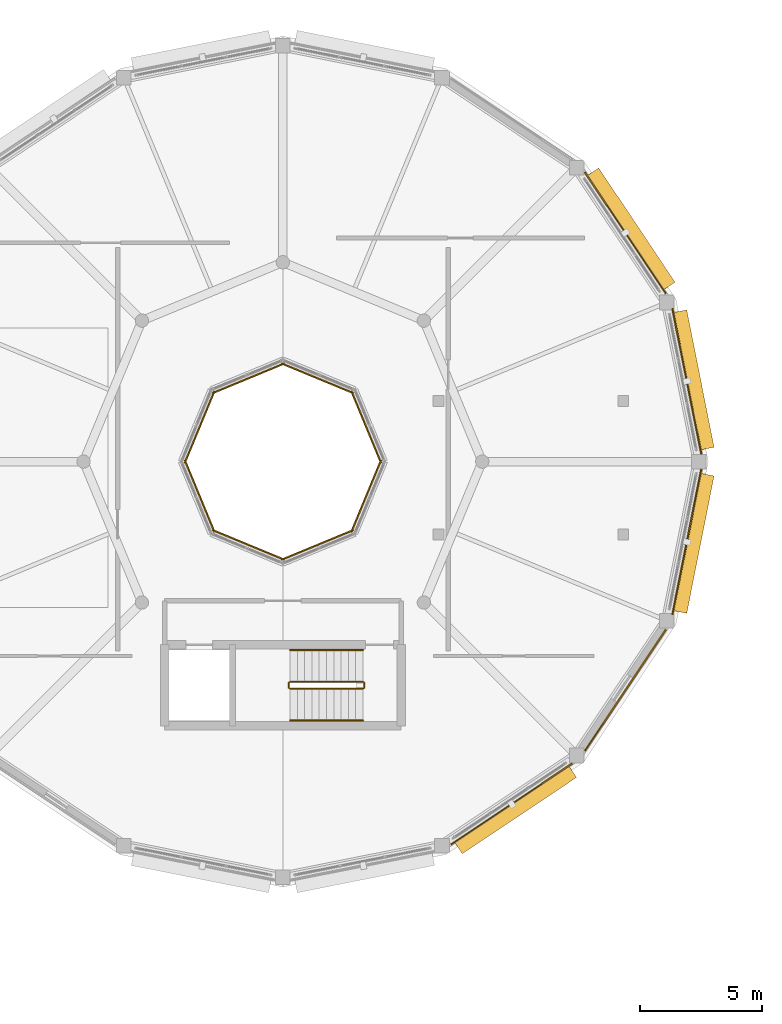
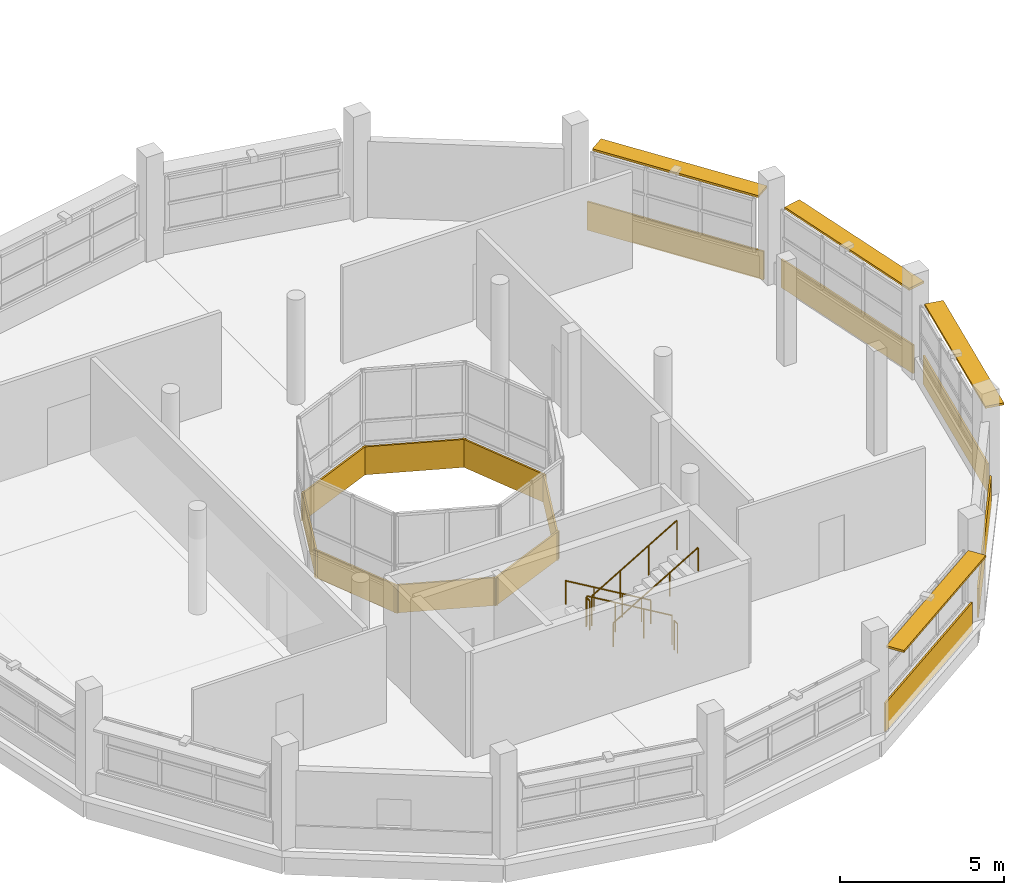
# One storey, part 120 of 121: 13 coverings, 6 railings, 4 shading devices.
"""IFC4 building model written with IfcOpenShell, lengths in metres."""

from ifc_helpers import new_model, si_unit, direction, frame, frame_2d, origin, origin_2d, place, context, subcontext, project, spatial, rectangle, circle, extrude, material, layer, layer_set, type_object, element, save


model = new_model("IFC4")

# Units and contexts
model_context = context("Model", 3, precision=1e-05, world=origin(), true_north=direction((0.0, 1.0)))
body_context = subcontext(model_context, "Body", "Model", "MODEL_VIEW")
ifc_project = project(units=[si_unit("LENGTHUNIT", "METRE"), si_unit("AREAUNIT", "SQUARE_METRE"), si_unit("VOLUMEUNIT", "CUBIC_METRE"), si_unit("PLANEANGLEUNIT", "RADIAN"), si_unit("MASSUNIT", "GRAM", prefix="KILO")], contexts=[model_context])

# Site, building, storey
site_placement = place(None, origin())
site = spatial("IfcSite", under=ifc_project, at=site_placement, CompositionType="ELEMENT")
building_placement = place(site_placement, origin())
building = spatial("IfcBuilding", under=site, at=building_placement, Name="Vespera Passage Community Centre", CompositionType="ELEMENT")
storey_placement = place(building_placement, frame((0.0, 0.0, 8.699951171875)))
storey = spatial("IfcBuildingStorey", under=building, at=storey_placement, Name="L02", CompositionType="ELEMENT", Elevation=8.699951171875)

# Coverings
ifc_material_1 = material(Name="Precast concrete f'c 40 MPa", Category="concrete")
ifc_layer = layer(ifc_material_1, 0.06005859375)
ifc_layer_set = layer_set([ifc_layer], Name="Precast concrete f'c 40 MPa")
covering_type = type_object("IfcCoveringType", Name="COV-CLAD-60E", PredefinedType="CLADDING", material=ifc_layer_set)
covering_1_placement = place(storey_placement, frame((157.019775390625, 31.301513671875, -0.260009765625), z_axis=(0.0, 0.0, 1.0), x_axis=(0.195101780047, -0.98078300119, 0.0)))
element("IfcCovering", 1, at=covering_1_placement, inside=storey, type_object=covering_type, Name="V3 L02 White Spandrel Band 1", PredefinedType="CLADDING", context=body_context, shape_type="SweptSolid", body=[
    extrude(rectangle(XDim=6.1103515625, YDim=0.06005859375, at=frame_2d((3.05517578125, 0.0))), origin(), (0.0, 0.0, 1.0), 1.06005859375),
])
for number, where, z_axis, x_axis, name in (
    (2, (153.41943359375, 36.90673828125, -0.260009765625), (0.0, 0.0, 1.0), (0.555573083966, -0.831467707354, 0.0), "V3 L02 White Spandrel Band 2"),
    (3, (152.90673828125, 12.58056640625, -0.260009765625), (0.0, 0.0, 1.0), (-0.831467707354, -0.555573083966, 0.0), "V3 L02 White Spandrel Band 14"),
):
    element("IfcCovering", number, at=place(storey_placement, frame(where, z_axis=z_axis, x_axis=x_axis)), inside=storey, type_object=covering_type, Name=name, PredefinedType="CLADDING", context=body_context, shape_type="SweptSolid", body=[
        extrude(rectangle(XDim=6.00048828125, YDim=0.06005859375, at=frame_2d((3.000244140625, 0.0))), origin(), (0.0, 0.0, 1.0), 1.06005859375),
    ])
covering_2_placement = place(storey_placement, frame((156.753173828125, 18.08251953125, -0.260009765625), z_axis=(0.0, 0.0, 1.0), x_axis=(-0.555573083966, -0.831467707354, 0.0)))
element("IfcCovering", 4, at=covering_2_placement, inside=storey, type_object=covering_type, Name="V3 L02 White Sill Band 15", PredefinedType="CLADDING", context=body_context, shape_type="SweptSolid", body=[
    extrude(rectangle(XDim=6.00048828125, YDim=0.06005859375, at=frame_2d((3.000244140625, 0.0))), origin(), (0.0, 0.0, 1.0), 1.080078125),
])
covering_3_placement = place(storey_placement, frame((158.2119140625, 24.69140625, -0.260009765625), z_axis=(0.0, 0.0, 1.0), x_axis=(-0.195101780047, -0.98078300119, 0.0)))
element("IfcCovering", 5, at=covering_3_placement, inside=storey, type_object=covering_type, Name="V3 L02 White Spandrel Band 16", PredefinedType="CLADDING", context=body_context, shape_type="SweptSolid", body=[
    extrude(rectangle(XDim=6.1103515625, YDim=0.06005859375, at=frame_2d((3.05517578125, 0.0))), origin(), (0.0, 0.0, 1.0), 1.06005859375),
])
for number, where, z_axis, x_axis, name in (
    (6, (145.036865234375, 24.940673828125, -0.239990234375), (0.0, 0.0, 1.0), (-0.382691013977, 0.923876392068, 0.0), "V3 L02 Inner Court White Band 1"),
    (7, (143.896484375, 27.8125, -0.239990234375), (0.0, 0.0, 1.0), (-0.923876392068, 0.382691013977, 0.0), "V3 L02 Inner Court White Band 2"),
    (8, (141.059326171875, 29.036865234375, -0.239990234375), (0.0, 0.0, 1.0), (-0.923876392068, -0.382691013977, 0.0), "V3 L02 Inner Court White Band 3"),
    (9, (138.1875, 27.896484375, -0.239990234375), (0.0, 0.0, 1.0), (-0.382691013977, -0.923876392068, 0.0), "V3 L02 Inner Court White Band 4"),
    (10, (136.963134765625, 25.059326171875, -0.239990234375), (0.0, 0.0, 1.0), (0.382691013977, -0.923876392068, 0.0), "V3 L02 Inner Court White Band 5"),
    (11, (138.103515625, 22.1875, -0.239990234375), (0.0, 0.0, 1.0), (0.923876392068, -0.382691013977, 0.0), "V3 L02 Inner Court White Band 6"),
    (12, (140.940673828125, 20.963134765625, -0.239990234375), (0.0, 0.0, 1.0), (0.923876392068, 0.382691013977, 0.0), "V3 L02 Inner Court White Band 7"),
    (13, (143.8125, 22.103515625, -0.239990234375), (0.0, 0.0, 1.0), (0.382691013977, 0.923876392068, 0.0), "V3 L02 Inner Court White Band 8"),
):
    element("IfcCovering", number, at=place(storey_placement, frame(where, z_axis=z_axis, x_axis=x_axis)), inside=storey, type_object=covering_type, Name=name, PredefinedType="CLADDING", context=body_context, shape_type="SweptSolid", body=[
        extrude(rectangle(XDim=3.199462890625, YDim=0.06005859375, at=frame_2d((1.599609375, 0.0))), origin(), (0.0, 0.0, 1.0), 1.0400390625),
    ])

# Railings
ifc_material_2 = material(Name="Steel ASTM A500 Grade C", Category="steel")
railing_type_1 = type_object("IfcRailingType", Name="RL-HAND-900I", PredefinedType="HANDRAIL", material=ifc_material_2)
railing_1_placement = place(storey_placement, frame((144.294921875, 17.25, 0.17724609375)))
element("IfcRailing", 14, at=railing_1_placement, inside=storey, type_object=railing_type_1, Name="L02 ST08 stair handrail 1", PredefinedType="HANDRAIL", context=body_context, shape_type="SweptSolid", body=[
    extrude(circle(Radius=0.02392578125, at=origin_2d()), frame((0.0, 0.0, 0.8759765625), z_axis=(-0.86092931783, 0.0, 0.508724591208), x_axis=(0.0, -1.0, 0.0)), (0.0, 0.0, 1.0), 3.484619140625),
    extrude(circle(Radius=0.02099609375, at=origin_2d()), origin(), (0.0, 0.0, 1.0), 0.851806640625),
    extrude(circle(Radius=0.02099609375, at=origin_2d()), frame((-1.0, 0.0, 0.5908203125)), (0.0, 0.0, 1.0), 0.851806640625),
    extrude(circle(Radius=0.02099609375, at=origin_2d()), frame((-2.0, 0.0, 1.181884765625)), (0.0, 0.0, 1.0), 0.851806640625),
    extrude(circle(Radius=0.02099609375, at=origin_2d()), frame((-3.0, 0.0, 1.772705078125)), (0.0, 0.0, 1.0), 0.851806640625),
])
railing_2_placement = place(storey_placement, frame((141.294921875, 14.35009765625, 2.12744140625)))
element("IfcRailing", 15, at=railing_2_placement, inside=storey, type_object=railing_type_1, Name="L02 ST08 stair handrail 2", PredefinedType="HANDRAIL", context=body_context, shape_type="SweptSolid", body=[
    extrude(circle(Radius=0.02392578125, at=origin_2d()), frame((0.0, 0.0, 0.8759765625), z_axis=(0.86092931783, 0.0, 0.508724591208), x_axis=(0.0, 1.0, 0.0)), (0.0, 0.0, 1.0), 3.484619140625),
    extrude(circle(Radius=0.02099609375, at=origin_2d()), origin(), (0.0, 0.0, 1.0), 0.851806640625),
    extrude(circle(Radius=0.02099609375, at=origin_2d()), frame((1.0, 0.0, 0.5908203125)), (0.0, 0.0, 1.0), 0.851806640625),
    extrude(circle(Radius=0.02099609375, at=origin_2d()), frame((2.0, 0.0, 1.181884765625)), (0.0, 0.0, 1.0), 0.851806640625),
    extrude(circle(Radius=0.02099609375, at=origin_2d()), frame((3.0, 0.0, 1.772705078125)), (0.0, 0.0, 1.0), 0.851806640625),
])
ifc_material_3 = material(Name="Steel ASTM A500 Grade C", Category="steel")
railing_type_2 = type_object("IfcRailingType", Name="RL-STAIR-1100I", PredefinedType="GUARDRAIL", material=ifc_material_3)
railing_3_placement = place(storey_placement, frame((144.294921875, 15.949951171875, 0.17724609375)))
element("IfcRailing", 16, at=railing_3_placement, inside=storey, type_object=railing_type_2, Name="L02 ST08 stair guard 1", PredefinedType="GUARDRAIL", context=body_context, shape_type="SweptSolid", body=[
    extrude(circle(Radius=0.02392578125, at=origin_2d()), frame((0.0, 0.0, 1.09619140625), z_axis=(-0.86092931783, 0.0, 0.508724591208), x_axis=(0.0, -1.0, 0.0)), (0.0, 0.0, 1.0), 3.484619140625),
    extrude(circle(Radius=0.02099609375, at=origin_2d()), origin(), (0.0, 0.0, 1.0), 1.072021484375),
    extrude(circle(Radius=0.02099609375, at=origin_2d()), frame((-1.0, 0.0, 0.5908203125)), (0.0, 0.0, 1.0), 1.072021484375),
    extrude(circle(Radius=0.02099609375, at=origin_2d()), frame((-2.0, 0.0, 1.181884765625)), (0.0, 0.0, 1.0), 1.072021484375),
    extrude(circle(Radius=0.02099609375, at=origin_2d()), frame((-3.0, 0.0, 1.772705078125)), (0.0, 0.0, 1.0), 1.072021484375),
])
railing_4_placement = place(storey_placement, frame((141.2451171875, 15.89990234375, 1.949951171875)))
element("IfcRailing", 17, at=railing_4_placement, inside=storey, type_object=railing_type_2, Name="L02 ST08 stair guard 2", PredefinedType="GUARDRAIL", context=body_context, shape_type="SweptSolid", body=[
    extrude(circle(Radius=0.02392578125, at=origin_2d()), frame((0.0, 0.0, 1.09619140625), z_axis=(0.0, -1.0, 0.0), x_axis=(1.0, 0.0, 0.0)), (0.0, 0.0, 1.0), 0.199951171875),
    extrude(circle(Radius=0.02099609375, at=origin_2d()), origin(), (0.0, 0.0, 1.0), 1.072021484375),
    extrude(circle(Radius=0.02099609375, at=origin_2d()), frame((0.0, -0.199951171875, 0.0)), (0.0, 0.0, 1.0), 1.072021484375),
])
railing_5_placement = place(storey_placement, frame((141.294921875, 15.64990234375, 2.12744140625)))
element("IfcRailing", 18, at=railing_5_placement, inside=storey, type_object=railing_type_2, Name="L02 ST08 stair guard 3", PredefinedType="GUARDRAIL", context=body_context, shape_type="SweptSolid", body=[
    extrude(circle(Radius=0.02392578125, at=origin_2d()), frame((0.0, 0.0, 1.09619140625), z_axis=(0.86092931783, 0.0, 0.508724591208), x_axis=(0.0, 1.0, 0.0)), (0.0, 0.0, 1.0), 3.484619140625),
    extrude(circle(Radius=0.02099609375, at=origin_2d()), origin(), (0.0, 0.0, 1.0), 1.072021484375),
    extrude(circle(Radius=0.02099609375, at=origin_2d()), frame((1.0, 0.0, 0.5908203125)), (0.0, 0.0, 1.0), 1.072021484375),
    extrude(circle(Radius=0.02099609375, at=origin_2d()), frame((2.0, 0.0, 1.181884765625)), (0.0, 0.0, 1.0), 1.072021484375),
    extrude(circle(Radius=0.02099609375, at=origin_2d()), frame((3.0, 0.0, 1.772705078125)), (0.0, 0.0, 1.0), 1.072021484375),
])
railing_6_placement = place(storey_placement, frame((144.344970703125, 15.89990234375, 0.0)))
element("IfcRailing", 19, at=railing_6_placement, inside=storey, type_object=railing_type_2, Name="L02 ST08 stair guard 4", PredefinedType="GUARDRAIL", context=body_context, shape_type="SweptSolid", body=[
    extrude(circle(Radius=0.02392578125, at=origin_2d()), frame((0.0, 0.0, 1.09619140625), z_axis=(0.0, -1.0, 0.0), x_axis=(1.0, 0.0, 0.0)), (0.0, 0.0, 1.0), 0.199951171875),
    extrude(circle(Radius=0.02099609375, at=origin_2d()), origin(), (0.0, 0.0, 1.0), 1.072021484375),
    extrude(circle(Radius=0.02099609375, at=origin_2d()), frame((0.0, -0.199951171875, 0.0)), (0.0, 0.0, 1.0), 1.072021484375),
])

# Shading devices
ifc_material_4 = material(Name="Anodized aluminium 6063-T6", Category="aluminium")
shading_device_type = type_object("IfcShadingDeviceType", Name="SHD-EYEBROW", PredefinedType="JALOUSIE", material=ifc_material_4)
shading_device_1_placement = place(storey_placement, frame((157.880615234375, 28.35791015625, 2.7451171875), z_axis=(0.0, 0.0, 1.0), x_axis=(0.195090322016, -0.980785280403, 0.0)))
element("IfcShadingDevice", 20, at=shading_device_1_placement, inside=storey, type_object=shading_device_type, Name="V3 L02 Solar Eyebrow 1", PredefinedType="JALOUSIE", context=body_context, shape_type="SweptSolid", body=[
    extrude(rectangle(XDim=5.76025390625, YDim=0.60009765625, at=origin_2d()), origin(), (0.0, 0.0, 1.0), 0.080078125),
])
for number, where, z_axis, x_axis, name in (
    (21, (155.310791015625, 34.56201171875, 2.7451171875), (0.0, 0.0, 1.0), (0.555555721053, -0.831479308706, 0.0), "V3 L02 Solar Eyebrow 2"),
    (22, (150.56201171875, 10.689208984375, 2.7451171875), (0.0, 0.0, 1.0), (-0.831479308706, -0.555555721053, 0.0), "V3 L02 Solar Eyebrow 14"),
):
    element("IfcShadingDevice", number, at=place(storey_placement, frame(where, z_axis=z_axis, x_axis=x_axis)), inside=storey, type_object=shading_device_type, Name=name, PredefinedType="JALOUSIE", context=body_context, shape_type="SweptSolid", body=[
        extrude(rectangle(XDim=5.650390625, YDim=0.60009765625, at=origin_2d()), origin(), (0.0, 0.0, 1.0), 0.080078125),
    ])
shading_device_2_placement = place(storey_placement, frame((157.880615234375, 21.64208984375, 2.7451171875), z_axis=(0.0, 0.0, 1.0), x_axis=(-0.195090322016, -0.980785280403, 0.0)))
element("IfcShadingDevice", 23, at=shading_device_2_placement, inside=storey, type_object=shading_device_type, Name="V3 L02 Solar Eyebrow 16", PredefinedType="JALOUSIE", context=body_context, shape_type="SweptSolid", body=[
    extrude(rectangle(XDim=5.76025390625, YDim=0.60009765625, at=origin_2d()), origin(), (0.0, 0.0, 1.0), 0.080078125),
])

save(model, "model.ifc")
